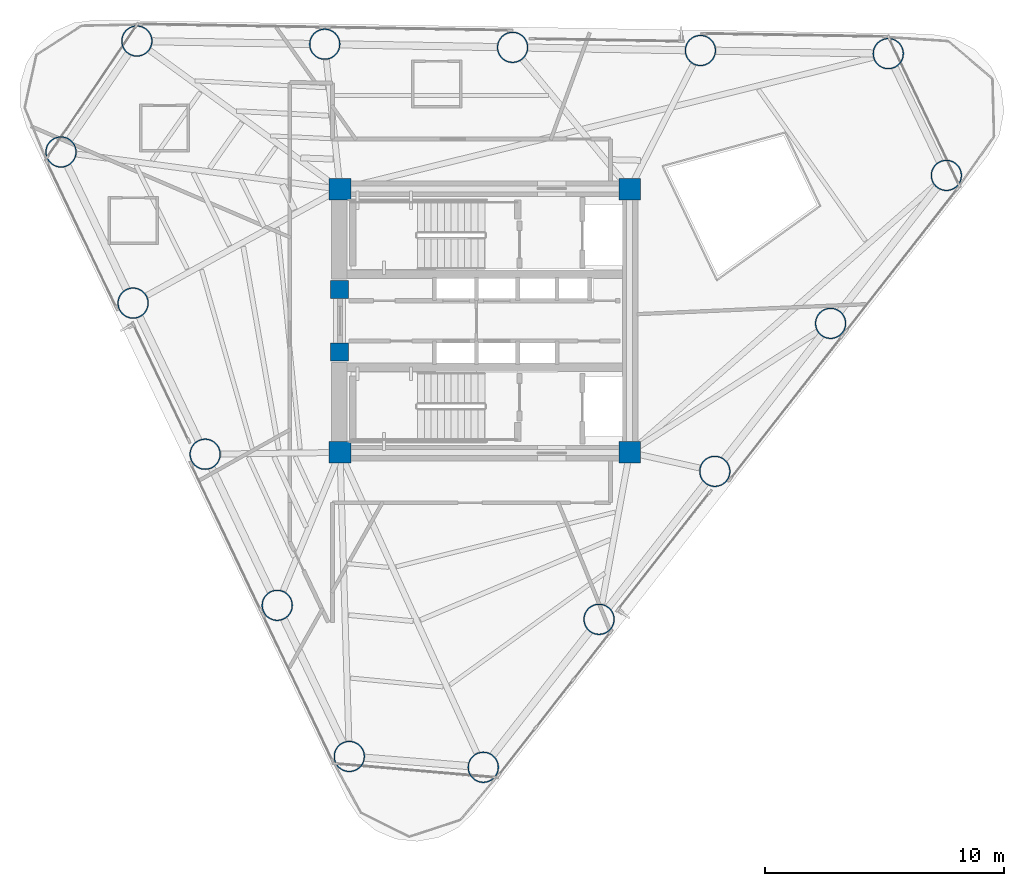
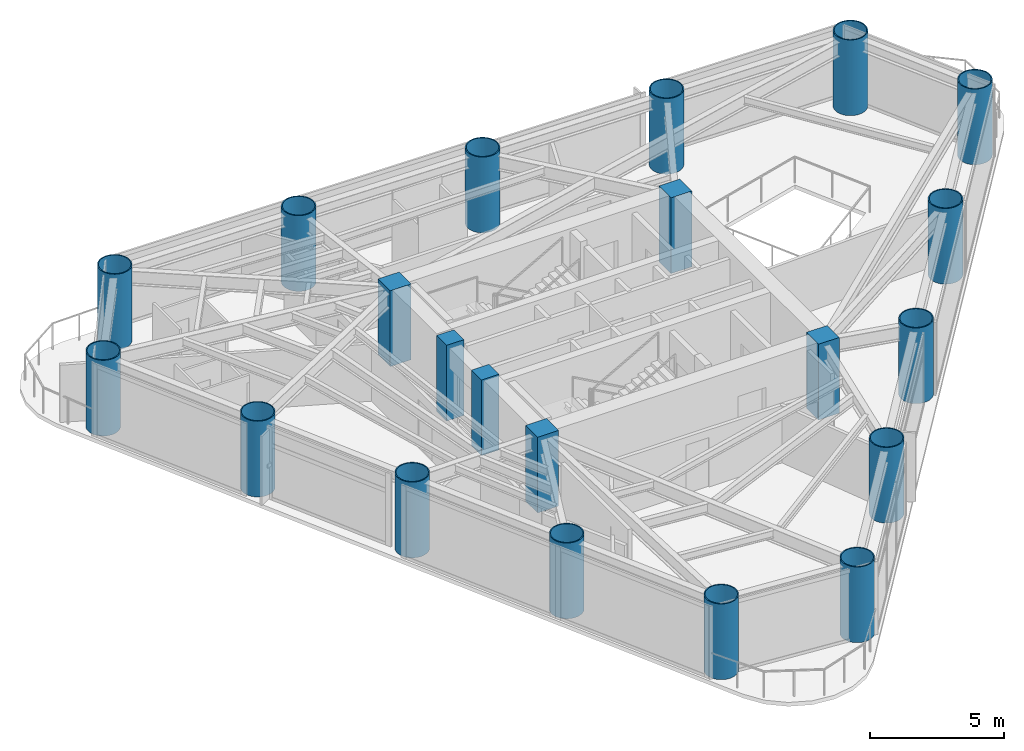
# One storey, part 1 of 10: 21 columns.
"""IFC4 building model written with IfcOpenShell, lengths in metres."""

import ifcopenshell
import ifcopenshell.guid

model = None  # the IFC model being written
_history = None  # IfcOwnerHistory: only IFC2X3 demands one
_inside = {}  # id of a spatial element -> (the spatial element, [elements in it])
_under = {}  # id of a project, library or spatial element -> (it, [spatial elements below it])
_declared = {}  # id of a project -> (the project, [libraries it declares])
_typed = {}  # id of a type object -> (the type object, [elements of that type])
_made_of = {}  # id of a material, layer set ... -> (it, [elements and type objects made of it])


def new_model(schema):
    """Start an empty IFC model of exactly this schema.

    Asked for "IFC4X3", IfcOpenShell would pick the latest addendum, in which some entities
    have other attributes; the version numbers below select the first issue.
    IFC2X3 requires an IfcOwnerHistory on every rooted entity: one is made here for all.
    """
    global model, _history
    if schema == "IFC4X3":
        model = ifcopenshell.file(schema_version=(4, 3, 0, 0))
    else:
        model = ifcopenshell.file(schema=schema)
    _inside.clear()
    _under.clear()
    _declared.clear()
    _typed.clear()
    _made_of.clear()
    _history = None
    if model.schema == "IFC2X3":
        org = make("IfcOrganization", Name="unknown")
        user = make(
            "IfcPersonAndOrganization",
            ThePerson=make("IfcPerson", FamilyName="unknown"),
            TheOrganization=org,
        )
        app = make(
            "IfcApplication",
            ApplicationDeveloper=org,
            Version="unknown",
            ApplicationFullName="unknown",
            ApplicationIdentifier="unknown",
        )
        _history = make(
            "IfcOwnerHistory",
            OwningUser=user,
            OwningApplication=app,
            ChangeAction="ADDED",
            CreationDate=0,
        )
    return model


def make(cls, **values):
    """One entity of the class cls with the attributes given. An attribute that is None is left unset."""
    return model.create_entity(
        cls, **{name: value for name, value in values.items() if value is not None}
    )


def rooted(cls, **values):
    """An entity with a GlobalId (a new one), such as an element, a storey or a relation."""
    return make(cls, GlobalId=ifcopenshell.guid.new(), OwnerHistory=_history, **values)


def si_unit(unit_type, name, prefix=None):
    """IfcSIUnit, for example si_unit("LENGTHUNIT", "METRE", prefix="MILLI")."""
    return make("IfcSIUnit", UnitType=unit_type, Prefix=prefix, Name=name)


def assignment(units):
    """IfcUnitAssignment: the units of a project."""
    return None if units is None else make("IfcUnitAssignment", Units=units)


def point(xyz):
    """IfcCartesianPoint."""
    return None if xyz is None else make("IfcCartesianPoint", Coordinates=xyz)


def direction(xyz):
    """IfcDirection."""
    return None if xyz is None else make("IfcDirection", DirectionRatios=xyz)


def frame(location, z_axis=None, x_axis=None):
    """IfcAxis2Placement3D, a coordinate frame: its origin and axes. An axis left out is left unset."""
    return make(
        "IfcAxis2Placement3D",
        Location=point(location),
        Axis=direction(z_axis),
        RefDirection=direction(x_axis),
    )


def frame_2d(location, x_axis=None):
    """IfcAxis2Placement2D, a coordinate frame in the plane: its origin and x axis."""
    return make(
        "IfcAxis2Placement2D", Location=point(location), RefDirection=direction(x_axis)
    )


def origin():
    """The frame at (0, 0, 0) with its axes left unset."""
    return frame((0.0, 0.0, 0.0))


def origin_2d():
    """The frame at (0, 0) in the plane with its x axis left unset."""
    return frame_2d((0.0, 0.0))


def place(relative_to, where):
    """IfcLocalPlacement: puts the frame where relative to a parent placement (None: the world)."""
    return make(
        "IfcLocalPlacement", PlacementRelTo=relative_to, RelativePlacement=where
    )


def context(
    kind, dimensions, precision=None, world=None, true_north=None, identifier=None
):
    """IfcGeometricRepresentationContext, for example the 3D "Model" context."""
    return make(
        "IfcGeometricRepresentationContext",
        ContextIdentifier=identifier,
        ContextType=kind,
        CoordinateSpaceDimension=dimensions,
        Precision=precision,
        WorldCoordinateSystem=world,
        TrueNorth=true_north,
    )


def subcontext(parent, identifier, kind, view, scale=None):
    """IfcGeometricRepresentationSubContext, for example "Body" below "Model"."""
    return make(
        "IfcGeometricRepresentationSubContext",
        ContextIdentifier=identifier,
        ContextType=kind,
        ParentContext=parent,
        TargetScale=scale,
        TargetView=view,
    )


def project(units=None, contexts=None):
    """IfcProject with its units and contexts."""
    return rooted(
        "IfcProject",
        Name="project",
        RepresentationContexts=contexts,
        UnitsInContext=assignment(units),
    )


def spatial(cls, under=None, at=None, **own):
    """A site, building, storey or space (cls), placed at a placement, below another one or the project."""
    s = rooted(cls, ObjectPlacement=at, **own)
    if under is not None:
        _under.setdefault(under.id(), (under, []))[1].append(s)
    return s


def profile(cls, at=None, kind="AREA", **sizes):
    """A parametric profile (cls). Its sizes go by their IFC names, for example OverallWidth=200.0."""
    return make(cls, ProfileType=kind, Position=at, **sizes)


def rectangle(**sizes):
    """IfcRectangleProfileDef."""
    return profile("IfcRectangleProfileDef", **sizes)


def hollow_circle(**sizes):
    """IfcCircleHollowProfileDef."""
    return profile("IfcCircleHollowProfileDef", **sizes)


def extrude(swept, where, along, depth):
    """IfcExtrudedAreaSolid: the profile swept, set in the frame where, extruded along a direction by depth."""
    return make(
        "IfcExtrudedAreaSolid",
        SweptArea=swept,
        Position=where,
        ExtrudedDirection=direction(along),
        Depth=depth,
    )


def shape(context_of_items, identifier, shape_type, items):
    """IfcShapeRepresentation: the items that make up one representation, for example the "Body"."""
    return make(
        "IfcShapeRepresentation",
        ContextOfItems=context_of_items,
        RepresentationIdentifier=identifier,
        RepresentationType=shape_type,
        Items=items,
    )


def source(mapping_origin, context_of_items, identifier, shape_type, items):
    """IfcRepresentationMap: a shape defined once, which mapped items show again and again."""
    return make(
        "IfcRepresentationMap",
        MappingOrigin=mapping_origin,
        MappedRepresentation=shape(context_of_items, identifier, shape_type, items),
    )


def transform(
    local_origin,
    x_axis=None,
    y_axis=None,
    z_axis=None,
    scale=None,
    scale2=None,
    scale3=None,
    uniform=True,
):
    """IfcCartesianTransformationOperator3D, or its non-uniform kind. x_axis, y_axis, z_axis: its Axis1, 2, 3."""
    if uniform:
        return make(
            "IfcCartesianTransformationOperator3D",
            Axis1=direction(x_axis),
            Axis2=direction(y_axis),
            LocalOrigin=point(local_origin),
            Scale=scale,
            Axis3=direction(z_axis),
        )
    return make(
        "IfcCartesianTransformationOperator3DnonUniform",
        Axis1=direction(x_axis),
        Axis2=direction(y_axis),
        LocalOrigin=point(local_origin),
        Scale=scale,
        Axis3=direction(z_axis),
        Scale2=scale2,
        Scale3=scale3,
    )


def mapped(mapping_source, mapping_target):
    """IfcMappedItem: shows the shape of a source again, moved by a transform."""
    return make(
        "IfcMappedItem", MappingSource=mapping_source, MappingTarget=mapping_target
    )


def material(Name=None, Category=None):
    """IfcMaterial."""
    return make("IfcMaterial", Name=Name, Category=Category)


def material_profile(
    of_material, cross_section, Name=None, Category=None, Priority=None
):
    """IfcMaterialProfile: a cross section and its material."""
    return make(
        "IfcMaterialProfile",
        Name=Name,
        Material=of_material,
        Profile=cross_section,
        Priority=Priority,
        Category=Category,
    )


def profile_set(profiles, Name=None, composite=None):
    """IfcMaterialProfileSet."""
    return make(
        "IfcMaterialProfileSet",
        Name=Name,
        MaterialProfiles=profiles,
        CompositeProfile=composite,
    )


def made_of(thing, what):
    """Note that an element or type object is made of a material, layer set ...; save() writes the relation."""
    if what is not None:
        _made_of.setdefault(what.id(), (what, []))[1].append(thing)
    return thing


def type_object(cls, material=None, **own):
    """A type object (cls), such as IfcWallType, which elements share."""
    return made_of(rooted(cls, **own), material)


def element(
    cls,
    number,
    at=None,
    inside=None,
    cuts=None,
    type_object=None,
    material=None,
    context=None,
    identifier="Body",
    shape_type=None,
    held_by="IfcProductDefinitionShape",
    body=None,
    shapes=None,
    **own,
):
    """One element of the class cls, such as IfcWall. Its Tag is "e" and its number.

    at: its placement. inside: the storey or other place that contains it. cuts: it is an
    opening in that element (IfcRelVoidsElement). A single representation is given by context,
    identifier, shape_type and body (its items); several are given by shapes. held_by: the class
    of the entity that holds the representations. save() writes the other relations.
    """
    e = rooted(cls, Tag="e%d" % number, ObjectPlacement=at, **own)
    if body is not None:
        shapes = [shape(context, identifier, shape_type, body)]
    if shapes is not None:
        e.Representation = make(held_by, Representations=shapes)
    if inside is not None:
        _inside.setdefault(inside.id(), (inside, []))[1].append(e)
    if cuts is not None:
        rooted(
            "IfcRelVoidsElement", RelatingBuildingElement=cuts, RelatedOpeningElement=e
        )
    if type_object is not None:
        _typed.setdefault(type_object.id(), (type_object, []))[1].append(e)
    return made_of(e, material)


def aggregate(whole, parts):
    """IfcRelAggregates: a whole, such as a stair, and the parts it consists of."""
    return rooted("IfcRelAggregates", RelatingObject=whole, RelatedObjects=parts)


def save(model, path):
    """Write the relations noted so far, then the file.

    IfcRelAggregates (storeys below a building ...), IfcRelContainedInSpatialStructure (elements
    in a storey), IfcRelDefinesByType, IfcRelAssociatesMaterial and IfcRelDeclares: one each for
    every whole, place, type object, material and project.
    """
    for whole, parts in _under.values():
        aggregate(whole, parts)
    for where, things in _inside.values():
        rooted(
            "IfcRelContainedInSpatialStructure",
            RelatedElements=things,
            RelatingStructure=where,
        )
    for kind, things in _typed.values():
        rooted("IfcRelDefinesByType", RelatedObjects=things, RelatingType=kind)
    for what, things in _made_of.values():
        rooted("IfcRelAssociatesMaterial", RelatedObjects=things, RelatingMaterial=what)
    for by, libraries in _declared.values():
        rooted("IfcRelDeclares", RelatingContext=by, RelatedDefinitions=libraries)
    model.write(path)


model = new_model("IFC4")

# Units and contexts
model_context = context("Model", 3, precision=1e-05, world=origin(), true_north=direction((0.0, 1.0)))
body_context = subcontext(model_context, "Body", "Model", "MODEL_VIEW")
ifc_project = project(units=[si_unit("LENGTHUNIT", "METRE"), si_unit("AREAUNIT", "SQUARE_METRE"), si_unit("VOLUMEUNIT", "CUBIC_METRE"), si_unit("PLANEANGLEUNIT", "RADIAN"), si_unit("MASSUNIT", "GRAM", prefix="KILO")], contexts=[model_context])

# Site, building, storey
site_placement = place(None, origin())
site = spatial("IfcSite", under=ifc_project, at=site_placement, CompositionType="ELEMENT")
building_placement = place(site_placement, origin())
building = spatial("IfcBuilding", under=site, at=building_placement, Name="Yunling Apex Tower", CompositionType="ELEMENT")
storey_placement = place(building_placement, frame((0.0, 0.0, 143.300048828125)))
storey = spatial("IfcBuildingStorey", under=building, at=storey_placement, Name="L35", CompositionType="ELEMENT", Elevation=143.300048828125)

# Columns
ifc_material_1 = material(Name="Concrete C60", Category="concrete")
ifc_material_profile_1 = material_profile(ifc_material_1, rectangle(XDim=0.89990234375, YDim=0.89990234375, at=origin_2d()))
ifc_profile_set_1 = profile_set([ifc_material_profile_1], Name="Concrete C60")
column_type_1 = type_object("IfcColumnType", Name="PC-SRC-3", PredefinedType="COLUMN", material=ifc_profile_set_1)
shared_shape_1 = source(origin(), body_context, "Body", "SweptSolid", [
    extrude(rectangle(XDim=0.89990234375, YDim=0.89990234375, at=origin_2d()), origin(), (0.0, 0.0, 1.0), 3.449951171875),
])
for number, where, z_axis, x_axis, name in (
    (1, (-6.050048828125, -5.5, 0.0), (0.0, 0.0, 1.0), (1.0, 0.0, 0.0), "L35 Core Spine Column CC-SW"),
    (2, (6.050048828125, -5.5, 0.0), (0.0, 0.0, 1.0), (1.0, 0.0, 0.0), "L35 Core Spine Column CC-SE"),
    (3, (6.050048828125, 5.5, 0.0), (0.0, 0.0, 1.0), (1.0, 0.0, 0.0), "L35 Core Spine Column CC-NE"),
    (4, (-6.050048828125, 5.5, 0.0), (0.0, 0.0, 1.0), (1.0, 0.0, 0.0), "L35 Core Spine Column CC-NW"),
):
    element("IfcColumn", number, at=place(storey_placement, frame(where, z_axis=z_axis, x_axis=x_axis)), inside=storey, type_object=column_type_1, Name=name, PredefinedType="COLUMN", context=body_context, shape_type="MappedRepresentation", body=[
        mapped(shared_shape_1, transform((0.0, 0.0, 0.0), scale=1.0)),
    ])
ifc_material_2 = material(Name="Concrete C50", Category="concrete")
ifc_material_profile_2 = material_profile(ifc_material_2, rectangle(XDim=0.75, YDim=0.75, at=origin_2d()))
ifc_profile_set_2 = profile_set([ifc_material_profile_2], Name="Concrete C50")
column_type_2 = type_object("IfcColumnType", Name="PC-SRC-4", PredefinedType="COLUMN", material=ifc_profile_set_2)
shared_shape_2 = source(origin(), body_context, "Body", "SweptSolid", [
    extrude(rectangle(XDim=0.75, YDim=0.75, at=origin_2d()), origin(), (0.0, 0.0, 1.0), 3.449951171875),
])
for number, where, z_axis, x_axis, name in (
    (5, (-6.074951171875, -1.300048828125, 0.0), (0.0, 0.0, 1.0), (1.0, 0.0, 0.0), "L35 Core West Portal Jamb Column S"),
    (6, (-6.074951171875, 1.300048828125, 0.0), (0.0, 0.0, 1.0), (1.0, 0.0, 0.0), "L35 Core West Portal Jamb Column N"),
):
    element("IfcColumn", number, at=place(storey_placement, frame(where, z_axis=z_axis, x_axis=x_axis)), inside=storey, type_object=column_type_2, Name=name, PredefinedType="COLUMN", context=body_context, shape_type="MappedRepresentation", body=[
        mapped(shared_shape_2, transform((0.0, 0.0, 0.0), scale=1.0)),
    ])
ifc_material_3 = material(Name="Steel Q390GJC", Category="steel")
ifc_material_profile_3 = material_profile(ifc_material_3, hollow_circle(Radius=0.64990234375, WallThickness=0.044921875, at=origin_2d()))
ifc_profile_set_3 = profile_set([ifc_material_profile_3], Name="Steel Q390GJC")
column_type_3 = type_object("IfcColumnType", Name="MC-CFST-3", PredefinedType="COLUMN", material=ifc_profile_set_3)
shared_shape_3 = source(origin(), body_context, "Body", "SweptSolid", [
    extrude(hollow_circle(Radius=0.64990234375, WallThickness=0.044921875, at=origin_2d()), origin(), (0.0, 0.0, 1.0), 3.449951171875),
])
for number, where, z_axis, x_axis, name in (
    (7, (-0.06396484375, -18.654541015625, 0.0), (0.0, 0.0, 1.0), (1.0, 0.0, 0.0), "L35 Perimeter CFST Mega-Column P01"),
    (8, (4.773193359375, -12.471923828125, 0.0), (0.0, 0.0, 1.0), (1.0, 0.0, 0.0), "L35 Perimeter CFST Mega-Column P02"),
    (9, (9.610595703125, -6.289306640625, 0.0), (0.0, 0.0, 1.0), (1.0, 0.0, 0.0), "L35 Perimeter CFST Mega-Column P03"),
    (10, (14.447998046875, -0.106689453125, 0.0), (0.0, 0.0, 1.0), (1.0, 0.0, 0.0), "L35 Perimeter CFST Mega-Column P04"),
    (11, (19.28515625, 6.075927734375, 0.0), (0.0, 0.0, 1.0), (1.0, 0.0, 0.0), "L35 Perimeter CFST Mega-Column P05"),
    (12, (16.8583984375, 11.163818359375, 0.0), (0.0, 0.0, 1.0), (1.0, 0.0, 0.0), "L35 Perimeter CFST Mega-Column P06"),
    (13, (9.009521484375, 11.295166015625, 0.0), (0.0, 0.0, 1.0), (1.0, 0.0, 0.0), "L35 Perimeter CFST Mega-Column P07"),
    (14, (1.160400390625, 11.4267578125, 0.0), (0.0, 0.0, 1.0), (1.0, 0.0, 0.0), "L35 Perimeter CFST Mega-Column P08"),
    (15, (-6.6884765625, 11.558349609375, 0.0), (0.0, 0.0, 1.0), (1.0, 0.0, 0.0), "L35 Perimeter CFST Mega-Column P09"),
    (16, (-14.53759765625, 11.68994140625, 0.0), (0.0, 0.0, 1.0), (1.0, 0.0, 0.0), "L35 Perimeter CFST Mega-Column P10"),
    (17, (-17.70849609375, 7.0546875, 0.0), (0.0, 0.0, 1.0), (1.0, 0.0, 0.0), "L35 Perimeter CFST Mega-Column P11"),
    (18, (-14.69677734375, 0.740478515625, 0.0), (0.0, 0.0, 1.0), (1.0, 0.0, 0.0), "L35 Perimeter CFST Mega-Column P12"),
    (19, (-11.685302734375, -5.573486328125, 0.0), (0.0, 0.0, 1.0), (1.0, 0.0, 0.0), "L35 Perimeter CFST Mega-Column P13"),
    (20, (-8.673583984375, -11.8876953125, 0.0), (0.0, 0.0, 1.0), (1.0, 0.0, 0.0), "L35 Perimeter CFST Mega-Column P14"),
    (21, (-5.661865234375, -18.201904296875, 0.0), (0.0, 0.0, 1.0), (1.0, 0.0, 0.0), "L35 Perimeter CFST Mega-Column P15"),
):
    element("IfcColumn", number, at=place(storey_placement, frame(where, z_axis=z_axis, x_axis=x_axis)), inside=storey, type_object=column_type_3, Name=name, PredefinedType="COLUMN", context=body_context, shape_type="MappedRepresentation", body=[
        mapped(shared_shape_3, transform((0.0, 0.0, 0.0), scale=1.0)),
    ])

save(model, "model.ifc")
